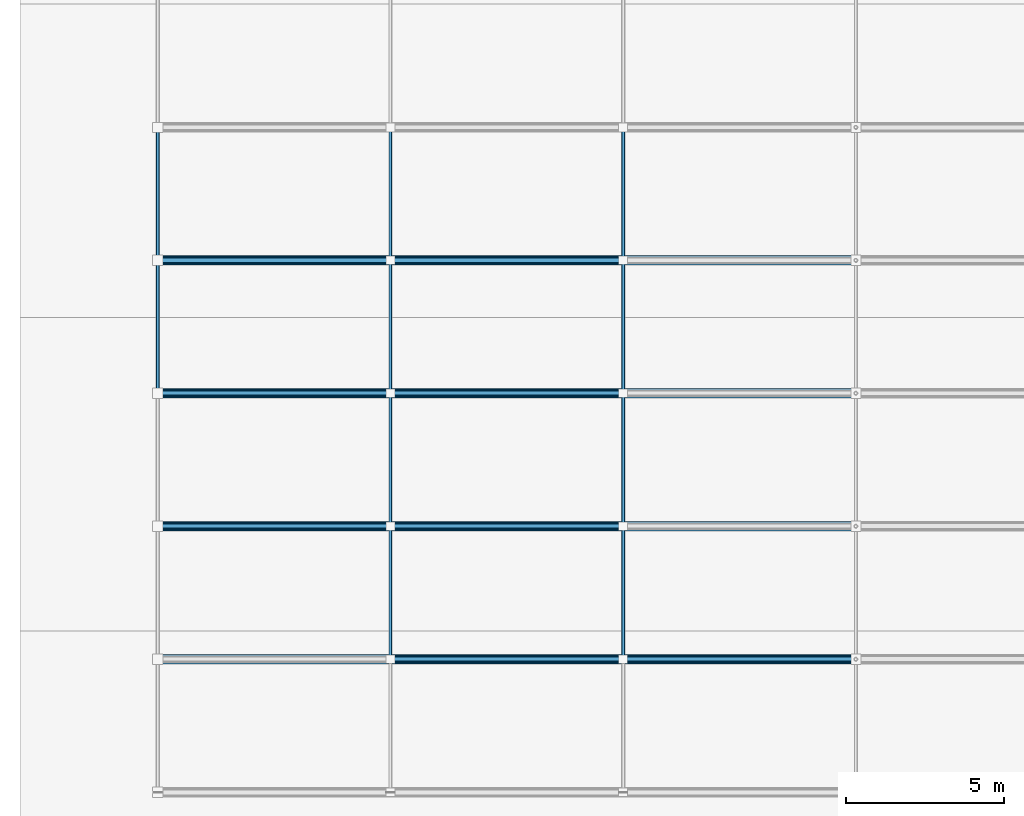
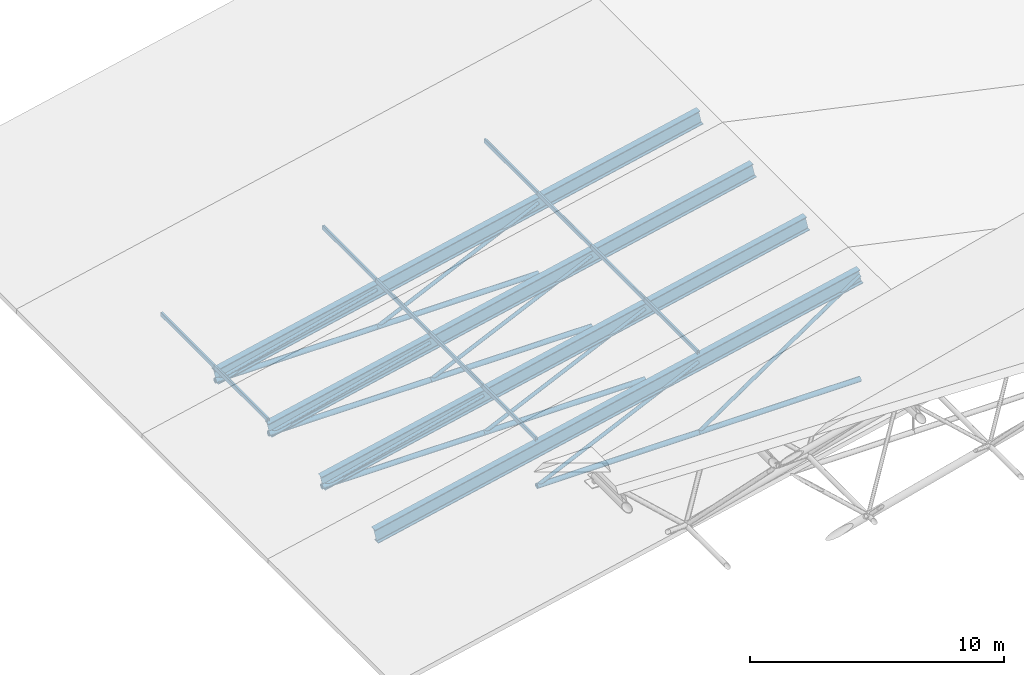
# One storey, part 14 of 60: 26 members, 4 beams.
"""IFC4 building model written with IfcOpenShell, lengths in metres."""

from ifc_helpers import new_model, si_unit, direction, frame, origin, origin_2d, place, context, subcontext, project, spatial, hollow_rectangle, hollow_circle, i_section, extrude, material, material_profile, profile_set, type_object, element, save


model = new_model("IFC4")

# Units and contexts
model_context = context("Model", 3, precision=1e-05, world=origin(), true_north=direction((0.0, 1.0)))
body_context = subcontext(model_context, "Body", "Model", "MODEL_VIEW")
ifc_project = project(units=[si_unit("LENGTHUNIT", "METRE"), si_unit("AREAUNIT", "SQUARE_METRE"), si_unit("VOLUMEUNIT", "CUBIC_METRE"), si_unit("PLANEANGLEUNIT", "RADIAN"), si_unit("MASSUNIT", "GRAM", prefix="KILO")], contexts=[model_context])

# Site, building, storey
site_placement = place(None, origin())
site = spatial("IfcSite", under=ifc_project, at=site_placement, CompositionType="ELEMENT")
building_placement = place(site_placement, origin())
building = spatial("IfcBuilding", under=site, at=building_placement, Name="Nakhvara Creek Congress Hotel", CompositionType="ELEMENT")
storey_placement = place(building_placement, frame((0.0, 0.0, 54.60009765625)))
storey = spatial("IfcBuildingStorey", under=building, at=storey_placement, Name="RL1", CompositionType="ELEMENT", Elevation=54.60009765625)

# Beams
ifc_material_1 = material(Name="Steel S355J2", Category="steel")
ifc_material_profile_1 = material_profile(ifc_material_1, i_section(OverallWidth=0.300048828125, OverallDepth=0.699951171875, WebThickness=0.01708984375, FlangeThickness=0.031982421875, FilletRadius=0.027099609375, at=origin_2d()), Name="HEB 700", Category="LoadBearing")
ifc_profile_set_1 = profile_set([ifc_material_profile_1], Name="Steel S355J2")
beam_type = type_object("IfcBeamType", Name="BM-ST-HEB700", PredefinedType="BEAM", material=ifc_profile_set_1)
for number, where, z_axis, x_axis, name in (
    (1, (4.35009765625, 95.39990234375, -41.68017578125), (0.977115492222, 0.0, 0.212709461143), (0.0, 1.0, 0.0), "Ballroom Roof Truss West Rafter 02"),
    (2, (4.35009765625, 99.60009765625, -41.68017578125), (0.977115492222, 0.0, 0.212709461143), (0.0, 1.0, 0.0), "Ballroom Roof Truss West Rafter 03"),
    (3, (4.35009765625, 103.800048828125, -41.68017578125), (0.977115492222, 0.0, 0.212709461143), (0.0, 1.0, 0.0), "Ballroom Roof Truss West Rafter 04"),
    (4, (4.35009765625, 108.0, -41.68017578125), (0.977115492222, 0.0, 0.212709461143), (0.0, 1.0, 0.0), "Ballroom Roof Truss West Rafter 05"),
):
    element("IfcBeam", number, at=place(storey_placement, frame(where, z_axis=z_axis, x_axis=x_axis)), inside=storey, type_object=beam_type, Name=name, PredefinedType="BEAM", context=body_context, shape_type="SweptSolid", body=[
        extrude(i_section(OverallWidth=0.300048828125, OverallDepth=0.699951171875, WebThickness=0.01708984375, FlangeThickness=0.031982421875, FilletRadius=0.027099609375, at=origin_2d()), origin(), (0.0, 0.0, 1.0), 22.566162109375),
    ])

# Members
ifc_material_2 = material(Name="Steel S355J2H", Category="steel")
ifc_material_profile_2 = material_profile(ifc_material_2, hollow_circle(Radius=0.084228515625, WallThickness=0.008056640625, at=origin_2d()), Name="CHS 168.3x8.0", Category="LoadBearing")
ifc_profile_set_2 = profile_set([ifc_material_profile_2], Name="Steel S355J2H")
member_type_1 = type_object("IfcMemberType", Name="MEM-BRC-CHS168", PredefinedType="BRACE", material=ifc_profile_set_2)
member_1_placement = place(storey_placement, frame((11.699951171875, 95.39990234375, -41.89013671875), z_axis=(0.907121554774, 0.0, 0.420868726403), x_axis=(0.0, 1.0, 0.0)))
element("IfcMember", 5, at=member_1_placement, inside=storey, type_object=member_type_1, Name="Ballroom Roof Truss Web Brace 02.2", PredefinedType="BRACE", context=body_context, shape_type="SweptSolid", body=[
    extrude(hollow_circle(Radius=0.084228515625, WallThickness=0.008056640625, at=origin_2d()), origin(), (0.0, 0.0, 1.0), 8.1025390625),
])
member_2_placement = place(storey_placement, frame((19.050048828125, 95.39990234375, -41.89013671875), z_axis=(0.826292954583, 0.0, 0.563240581996), x_axis=(0.0, 1.0, 0.0)))
element("IfcMember", 6, at=member_2_placement, inside=storey, type_object=member_type_1, Name="Ballroom Roof Truss Web Brace 02.3", PredefinedType="BRACE", context=body_context, shape_type="SweptSolid", body=[
    extrude(hollow_circle(Radius=0.084228515625, WallThickness=0.008056640625, at=origin_2d()), origin(), (0.0, 0.0, 1.0), 8.89501953125),
])
member_3_placement = place(storey_placement, frame((4.35009765625, 99.60009765625, -41.89013671875), z_axis=(0.970988385027, 0.0, 0.239126652934), x_axis=(0.0, 1.0, 0.0)))
element("IfcMember", 7, at=member_3_placement, inside=storey, type_object=member_type_1, Name="Ballroom Roof Truss Web Brace 03.1", PredefinedType="BRACE", context=body_context, shape_type="SweptSolid", body=[
    extrude(hollow_circle(Radius=0.084228515625, WallThickness=0.008056640625, at=origin_2d()), origin(), (0.0, 0.0, 1.0), 7.5693359375),
])
member_4_placement = place(storey_placement, frame((11.699951171875, 99.60009765625, -41.89013671875), z_axis=(0.907121554774, 0.0, 0.420868726403), x_axis=(0.0, 1.0, 0.0)))
element("IfcMember", 8, at=member_4_placement, inside=storey, type_object=member_type_1, Name="Ballroom Roof Truss Web Brace 03.2", PredefinedType="BRACE", context=body_context, shape_type="SweptSolid", body=[
    extrude(hollow_circle(Radius=0.084228515625, WallThickness=0.008056640625, at=origin_2d()), origin(), (0.0, 0.0, 1.0), 8.1025390625),
])
member_5_placement = place(storey_placement, frame((4.35009765625, 103.800048828125, -41.89013671875), z_axis=(0.970988385027, 0.0, 0.239126652934), x_axis=(0.0, 1.0, 0.0)))
element("IfcMember", 9, at=member_5_placement, inside=storey, type_object=member_type_1, Name="Ballroom Roof Truss Web Brace 04.1", PredefinedType="BRACE", context=body_context, shape_type="SweptSolid", body=[
    extrude(hollow_circle(Radius=0.084228515625, WallThickness=0.008056640625, at=origin_2d()), origin(), (0.0, 0.0, 1.0), 7.5693359375),
])
member_6_placement = place(storey_placement, frame((11.699951171875, 103.800048828125, -41.89013671875), z_axis=(0.907121554774, 0.0, 0.420868726403), x_axis=(0.0, 1.0, 0.0)))
element("IfcMember", 10, at=member_6_placement, inside=storey, type_object=member_type_1, Name="Ballroom Roof Truss Web Brace 04.2", PredefinedType="BRACE", context=body_context, shape_type="SweptSolid", body=[
    extrude(hollow_circle(Radius=0.084228515625, WallThickness=0.008056640625, at=origin_2d()), origin(), (0.0, 0.0, 1.0), 8.1025390625),
])
member_7_placement = place(storey_placement, frame((4.35009765625, 108.0, -41.89013671875), z_axis=(0.970988385027, 0.0, 0.239126652934), x_axis=(0.0, 1.0, 0.0)))
element("IfcMember", 11, at=member_7_placement, inside=storey, type_object=member_type_1, Name="Ballroom Roof Truss Web Brace 05.1", PredefinedType="BRACE", context=body_context, shape_type="SweptSolid", body=[
    extrude(hollow_circle(Radius=0.084228515625, WallThickness=0.008056640625, at=origin_2d()), origin(), (0.0, 0.0, 1.0), 7.5693359375),
])
member_8_placement = place(storey_placement, frame((11.699951171875, 108.0, -41.89013671875), z_axis=(0.907121554774, 0.0, 0.420868726403), x_axis=(0.0, 1.0, 0.0)))
element("IfcMember", 12, at=member_8_placement, inside=storey, type_object=member_type_1, Name="Ballroom Roof Truss Web Brace 05.2", PredefinedType="BRACE", context=body_context, shape_type="SweptSolid", body=[
    extrude(hollow_circle(Radius=0.084228515625, WallThickness=0.008056640625, at=origin_2d()), origin(), (0.0, 0.0, 1.0), 8.1025390625),
])
ifc_material_profile_3 = material_profile(ifc_material_2, hollow_circle(Radius=0.122314453125, WallThickness=0.012451171875, at=origin_2d()), Name="CHS 244.5x12.5", Category="LoadBearing")
ifc_profile_set_3 = profile_set([ifc_material_profile_3], Name="Steel S355J2H")
member_type_2 = type_object("IfcMemberType", Name="MEM-CHD-CHS244", PredefinedType="CHORD", material=ifc_profile_set_3)
member_9_placement = place(storey_placement, frame((11.699951171875, 95.39990234375, -41.89013671875), z_axis=(1.0, 0.0, 0.0), x_axis=(0.0, 1.0, 0.0)))
element("IfcMember", 13, at=member_9_placement, inside=storey, type_object=member_type_2, Name="Ballroom Roof Truss Bottom Chord 02.2", PredefinedType="CHORD", context=body_context, shape_type="SweptSolid", body=[
    extrude(hollow_circle(Radius=0.122314453125, WallThickness=0.012451171875, at=origin_2d()), origin(), (0.0, 0.0, 1.0), 7.35009765625),
])
for number, where, z_axis, x_axis, name in (
    (14, (19.050048828125, 95.39990234375, -41.89013671875), (1.0, 0.0, 0.0), (0.0, 1.0, 0.0), "Ballroom Roof Truss Bottom Chord 02.3"),
    (15, (4.35009765625, 99.60009765625, -41.89013671875), (1.0, 0.0, 0.0), (0.0, 1.0, 0.0), "Ballroom Roof Truss Bottom Chord 03.1"),
):
    element("IfcMember", number, at=place(storey_placement, frame(where, z_axis=z_axis, x_axis=x_axis)), inside=storey, type_object=member_type_2, Name=name, PredefinedType="CHORD", context=body_context, shape_type="SweptSolid", body=[
        extrude(hollow_circle(Radius=0.122314453125, WallThickness=0.012451171875, at=origin_2d()), origin(), (0.0, 0.0, 1.0), 7.349853515625),
    ])
member_10_placement = place(storey_placement, frame((11.699951171875, 99.60009765625, -41.89013671875), z_axis=(1.0, 0.0, 0.0), x_axis=(0.0, 1.0, 0.0)))
element("IfcMember", 16, at=member_10_placement, inside=storey, type_object=member_type_2, Name="Ballroom Roof Truss Bottom Chord 03.2", PredefinedType="CHORD", context=body_context, shape_type="SweptSolid", body=[
    extrude(hollow_circle(Radius=0.122314453125, WallThickness=0.012451171875, at=origin_2d()), origin(), (0.0, 0.0, 1.0), 7.35009765625),
])
member_11_placement = place(storey_placement, frame((4.35009765625, 103.800048828125, -41.89013671875), z_axis=(1.0, 0.0, 0.0), x_axis=(0.0, 1.0, 0.0)))
element("IfcMember", 17, at=member_11_placement, inside=storey, type_object=member_type_2, Name="Ballroom Roof Truss Bottom Chord 04.1", PredefinedType="CHORD", context=body_context, shape_type="SweptSolid", body=[
    extrude(hollow_circle(Radius=0.122314453125, WallThickness=0.012451171875, at=origin_2d()), origin(), (0.0, 0.0, 1.0), 7.349853515625),
])
member_12_placement = place(storey_placement, frame((11.699951171875, 103.800048828125, -41.89013671875), z_axis=(1.0, 0.0, 0.0), x_axis=(0.0, 1.0, 0.0)))
element("IfcMember", 18, at=member_12_placement, inside=storey, type_object=member_type_2, Name="Ballroom Roof Truss Bottom Chord 04.2", PredefinedType="CHORD", context=body_context, shape_type="SweptSolid", body=[
    extrude(hollow_circle(Radius=0.122314453125, WallThickness=0.012451171875, at=origin_2d()), origin(), (0.0, 0.0, 1.0), 7.35009765625),
])
member_13_placement = place(storey_placement, frame((4.35009765625, 108.0, -41.89013671875), z_axis=(1.0, 0.0, 0.0), x_axis=(0.0, 1.0, 0.0)))
element("IfcMember", 19, at=member_13_placement, inside=storey, type_object=member_type_2, Name="Ballroom Roof Truss Bottom Chord 05.1", PredefinedType="CHORD", context=body_context, shape_type="SweptSolid", body=[
    extrude(hollow_circle(Radius=0.122314453125, WallThickness=0.012451171875, at=origin_2d()), origin(), (0.0, 0.0, 1.0), 7.349853515625),
])
member_14_placement = place(storey_placement, frame((11.699951171875, 108.0, -41.89013671875), z_axis=(1.0, 0.0, 0.0), x_axis=(0.0, 1.0, 0.0)))
element("IfcMember", 20, at=member_14_placement, inside=storey, type_object=member_type_2, Name="Ballroom Roof Truss Bottom Chord 05.2", PredefinedType="CHORD", context=body_context, shape_type="SweptSolid", body=[
    extrude(hollow_circle(Radius=0.122314453125, WallThickness=0.012451171875, at=origin_2d()), origin(), (0.0, 0.0, 1.0), 7.35009765625),
])
ifc_material_profile_4 = material_profile(ifc_material_2, hollow_rectangle(XDim=0.10009765625, YDim=0.199951171875, WallThickness=0.008056640625, InnerFilletRadius=0.008056640625, OuterFilletRadius=0.01611328125, at=origin_2d()), Name="RHS 200x100x8.0", Category="LoadBearing")
ifc_profile_set_4 = profile_set([ifc_material_profile_4], Name="Steel S355J2H")
member_type_3 = type_object("IfcMemberType", Name="MEM-PUR-RHS200", PredefinedType="PURLIN", material=ifc_profile_set_4)
for number, where, z_axis, x_axis, name in (
    (21, (4.35009765625, 103.800048828125, -41.23388671875), (0.0, 1.0, 0.0), (-1.0, 0.0, 0.0), "Ballroom Roof Purlin 1.4"),
    (22, (4.35009765625, 108.0, -41.23388671875), (0.0, 1.0, 0.0), (-1.0, 0.0, 0.0), "Ballroom Roof Purlin 1.5"),
):
    element("IfcMember", number, at=place(storey_placement, frame(where, z_axis=z_axis, x_axis=x_axis)), inside=storey, type_object=member_type_3, Name=name, PredefinedType="PURLIN", context=body_context, shape_type="SweptSolid", body=[
        extrude(hollow_rectangle(XDim=0.10009765625, YDim=0.199951171875, WallThickness=0.008056640625, InnerFilletRadius=0.008056640625, OuterFilletRadius=0.01611328125, at=origin_2d()), origin(), (0.0, 0.0, 1.0), 4.199951171875),
    ])
member_15_placement = place(storey_placement, frame((11.699951171875, 95.39990234375, -39.6337890625), z_axis=(0.0, 1.0, 0.0), x_axis=(-1.0, 0.0, 0.0)))
element("IfcMember", 23, at=member_15_placement, inside=storey, type_object=member_type_3, Name="Ballroom Roof Purlin 2.2", PredefinedType="PURLIN", context=body_context, shape_type="SweptSolid", body=[
    extrude(hollow_rectangle(XDim=0.10009765625, YDim=0.199951171875, WallThickness=0.008056640625, InnerFilletRadius=0.008056640625, OuterFilletRadius=0.01611328125, at=origin_2d()), origin(), (0.0, 0.0, 1.0), 4.2001953125),
])
for number, where, z_axis, x_axis, name in (
    (24, (11.699951171875, 99.60009765625, -39.6337890625), (0.0, 1.0, 0.0), (-1.0, 0.0, 0.0), "Ballroom Roof Purlin 2.3"),
    (25, (11.699951171875, 103.800048828125, -39.6337890625), (0.0, 1.0, 0.0), (-1.0, 0.0, 0.0), "Ballroom Roof Purlin 2.4"),
    (26, (11.699951171875, 108.0, -39.6337890625), (0.0, 1.0, 0.0), (-1.0, 0.0, 0.0), "Ballroom Roof Purlin 2.5"),
):
    element("IfcMember", number, at=place(storey_placement, frame(where, z_axis=z_axis, x_axis=x_axis)), inside=storey, type_object=member_type_3, Name=name, PredefinedType="PURLIN", context=body_context, shape_type="SweptSolid", body=[
        extrude(hollow_rectangle(XDim=0.10009765625, YDim=0.199951171875, WallThickness=0.008056640625, InnerFilletRadius=0.008056640625, OuterFilletRadius=0.01611328125, at=origin_2d()), origin(), (0.0, 0.0, 1.0), 4.199951171875),
    ])
member_16_placement = place(storey_placement, frame((19.050048828125, 95.39990234375, -38.033935546875), z_axis=(0.0, 1.0, 0.0), x_axis=(-1.0, 0.0, 0.0)))
element("IfcMember", 27, at=member_16_placement, inside=storey, type_object=member_type_3, Name="Ballroom Roof Purlin 3.2", PredefinedType="PURLIN", context=body_context, shape_type="SweptSolid", body=[
    extrude(hollow_rectangle(XDim=0.10009765625, YDim=0.199951171875, WallThickness=0.008056640625, InnerFilletRadius=0.008056640625, OuterFilletRadius=0.01611328125, at=origin_2d()), origin(), (0.0, 0.0, 1.0), 4.2001953125),
])
for number, where, z_axis, x_axis, name in (
    (28, (19.050048828125, 99.60009765625, -38.033935546875), (0.0, 1.0, 0.0), (-1.0, 0.0, 0.0), "Ballroom Roof Purlin 3.3"),
    (29, (19.050048828125, 103.800048828125, -38.033935546875), (0.0, 1.0, 0.0), (-1.0, 0.0, 0.0), "Ballroom Roof Purlin 3.4"),
    (30, (19.050048828125, 108.0, -38.033935546875), (0.0, 1.0, 0.0), (-1.0, 0.0, 0.0), "Ballroom Roof Purlin 3.5"),
):
    element("IfcMember", number, at=place(storey_placement, frame(where, z_axis=z_axis, x_axis=x_axis)), inside=storey, type_object=member_type_3, Name=name, PredefinedType="PURLIN", context=body_context, shape_type="SweptSolid", body=[
        extrude(hollow_rectangle(XDim=0.10009765625, YDim=0.199951171875, WallThickness=0.008056640625, InnerFilletRadius=0.008056640625, OuterFilletRadius=0.01611328125, at=origin_2d()), origin(), (0.0, 0.0, 1.0), 4.199951171875),
    ])

save(model, "model.ifc")
